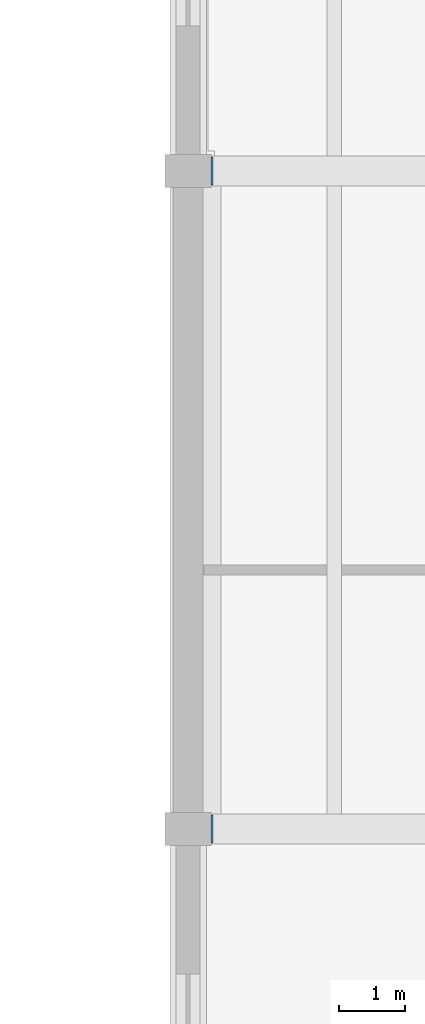
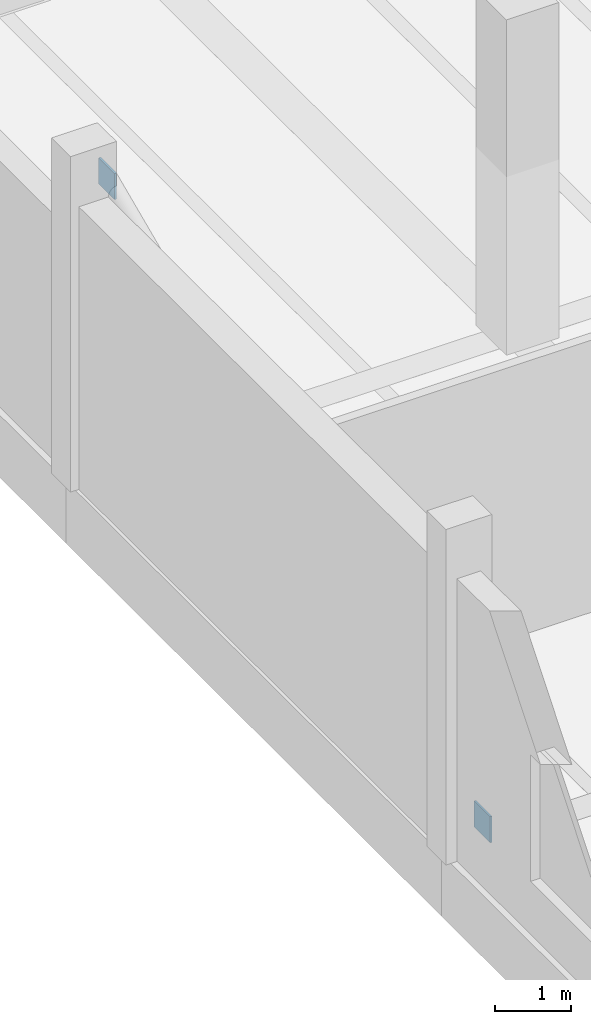
# One storey, part 43 of 72: 2 plates.
"""IFC4 building model written with IfcOpenShell, lengths in metres."""

from ifc_helpers import new_model, si_unit, direction, frame, origin, origin_2d, place, context, subcontext, project, spatial, rectangle, extrude, material, layer, layer_set, type_object, element, save


model = new_model("IFC4")

# Units and contexts
model_context = context("Model", 3, precision=1e-05, world=origin(), true_north=direction((0.0, 1.0)))
body_context = subcontext(model_context, "Body", "Model", "MODEL_VIEW")
ifc_project = project(units=[si_unit("LENGTHUNIT", "METRE"), si_unit("AREAUNIT", "SQUARE_METRE"), si_unit("VOLUMEUNIT", "CUBIC_METRE"), si_unit("PLANEANGLEUNIT", "RADIAN"), si_unit("MASSUNIT", "GRAM", prefix="KILO")], contexts=[model_context])

# Site, building, storey
site_placement = place(None, origin())
site = spatial("IfcSite", under=ifc_project, at=site_placement, CompositionType="ELEMENT")
building_placement = place(site_placement, origin())
building = spatial("IfcBuilding", under=site, at=building_placement, Name="Dornvale Research Institute", CompositionType="ELEMENT")
storey_placement = place(building_placement, origin())
storey = spatial("IfcBuildingStorey", under=building, at=storey_placement, Name="L00", CompositionType="ELEMENT", Elevation=0.0)

# Plates
ifc_material = material(Name="Steel ASTM A572 Grade 50", Category="steel")
ifc_layer = layer(ifc_material, 0.031982421875)
ifc_layer_set = layer_set([ifc_layer], Name="Steel ASTM A572 Grade 50")
plate_type = type_object("IfcPlateType", Name="SheetPlate_Gusset_32", PredefinedType="SHEET", material=ifc_layer_set)
for number, where, z_axis, x_axis, name in (
    (1, (119.159912109375, 102.300048828125, 0.090087890625), (0.0, 0.0, 1.0), (0.0, 1.0, 0.0), "HSS brace node gusset and cap plate ND-039"),
    (2, (119.159912109375, 112.199951171875, 4.43994140625), (0.0, 0.0, 1.0), (0.0, 1.0, 0.0), "HSS brace node gusset and cap plate ND-040"),
):
    element("IfcPlate", number, at=place(storey_placement, frame(where, z_axis=z_axis, x_axis=x_axis)), inside=storey, type_object=plate_type, Name=name, PredefinedType="SHEET", context=body_context, shape_type="SweptSolid", body=[
        extrude(rectangle(XDim=0.419921875, YDim=0.031982421875, at=origin_2d()), origin(), (0.0, 0.0, 1.0), 0.419921875),
    ])

save(model, "model.ifc")
